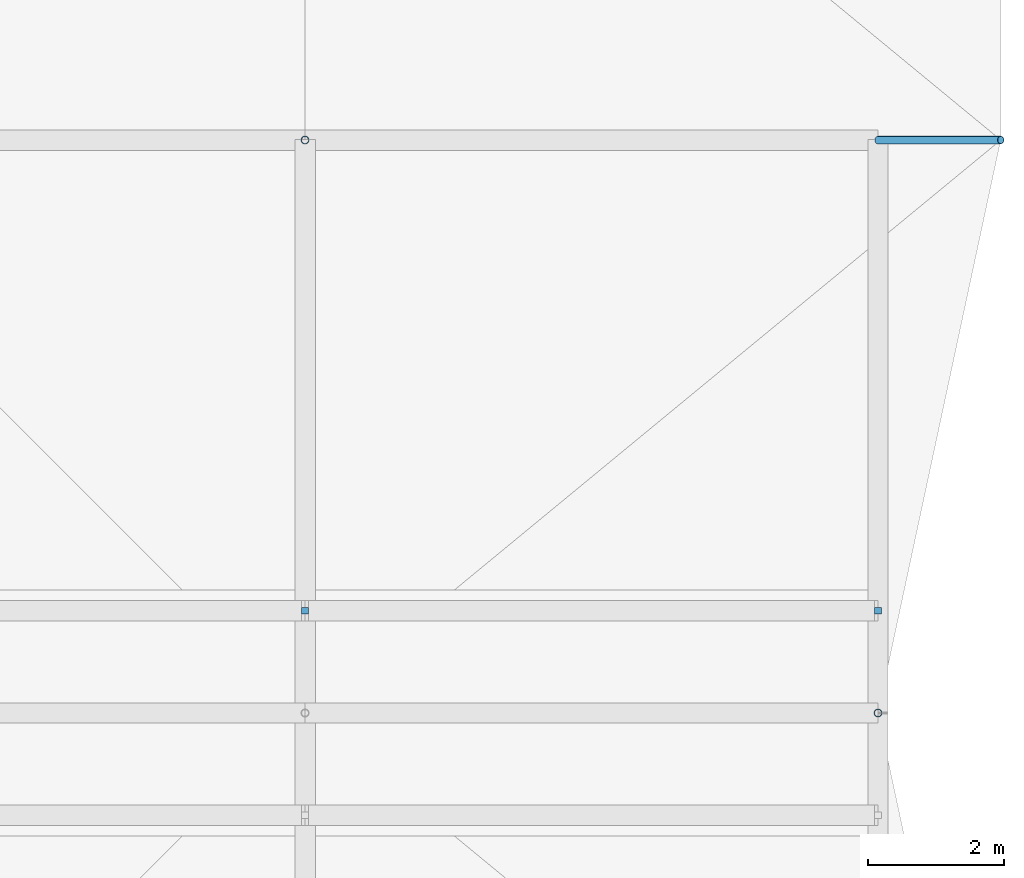
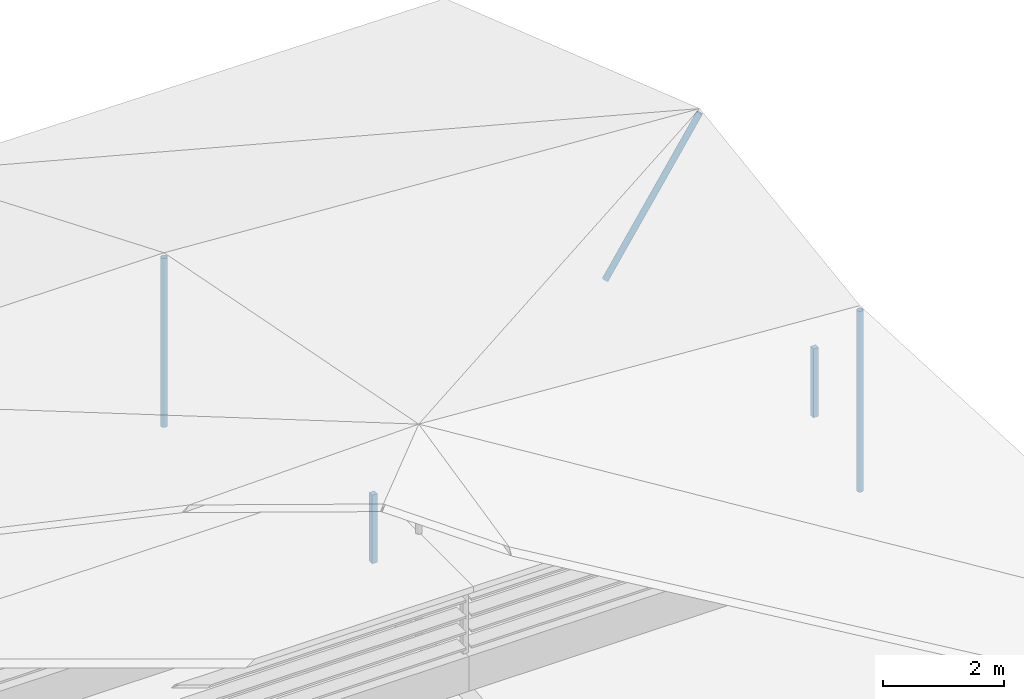
# One storey, part 37 of 46: 5 discrete accessories.
"""IFC4 building model written with IfcOpenShell, lengths in metres."""

from ifc_helpers import new_model, si_unit, direction, frame, origin, origin_2d, place, context, subcontext, project, spatial, rectangle, hollow_circle, extrude, material, layer, layer_set, material_profile, profile_set, type_object, element, save


model = new_model("IFC4")

# Units and contexts
model_context = context("Model", 3, precision=1e-05, world=origin(), true_north=direction((0.0, 1.0)))
body_context = subcontext(model_context, "Body", "Model", "MODEL_VIEW")
ifc_project = project(units=[si_unit("LENGTHUNIT", "METRE"), si_unit("AREAUNIT", "SQUARE_METRE"), si_unit("VOLUMEUNIT", "CUBIC_METRE"), si_unit("PLANEANGLEUNIT", "RADIAN"), si_unit("MASSUNIT", "GRAM", prefix="KILO")], contexts=[model_context])

# Site, building, storey
site_placement = place(None, origin())
site = spatial("IfcSite", under=ifc_project, at=site_placement, CompositionType="ELEMENT")
building_placement = place(site_placement, origin())
building = spatial("IfcBuilding", under=site, at=building_placement, Name="Rain Tree Exposition and Congress Centre", CompositionType="ELEMENT")
storey_placement = place(building_placement, frame((0.0, 0.0, 27.0)))
storey = spatial("IfcBuildingStorey", under=building, at=storey_placement, Name="ROOF VAULT CREST", CompositionType="ELEMENT", Elevation=27.0)

# Discrete accessories
ifc_material_1 = material(Name="Steel S355J2", Category="steel")
ifc_layer = layer(ifc_material_1, 0.10009765625)
ifc_layer_set = layer_set([ifc_layer], Name="Steel S355J2")
discrete_accessory_type_1 = type_object("IfcDiscreteAccessoryType", Name="Ridge lantern post 100", PredefinedType="BRACKET", material=ifc_layer_set)
for number, where, z_axis, x_axis, name in (
    (1, (235.199951171875, 177.89990234375, 2.0), (0.0, 0.0, 1.0), (1.0, 0.0, 0.0), "Lantern post NR1-11"),
    (2, (243.60009765625, 177.89990234375, 2.0), (0.0, 0.0, 1.0), (1.0, 0.0, 0.0), "Lantern post NR1-12"),
):
    element("IfcDiscreteAccessory", number, at=place(storey_placement, frame(where, z_axis=z_axis, x_axis=x_axis)), inside=storey, type_object=discrete_accessory_type_1, Name=name, PredefinedType="BRACKET", context=body_context, shape_type="SweptSolid", body=[
        extrude(rectangle(XDim=0.10009765625, YDim=0.10009765625, at=origin_2d()), origin(), (0.0, 0.0, 1.0), 1.3798828125),
    ])
ifc_material_2 = material(Name="Steel S355J2H", Category="steel")
ifc_material_profile = material_profile(ifc_material_2, hollow_circle(Radius=0.05712890625, WallThickness=0.00439453125, at=origin_2d()), Name="CHS 114x4.5")
ifc_profile_set = profile_set([ifc_material_profile], Name="Steel S355J2H")
discrete_accessory_type_2 = type_object("IfcDiscreteAccessoryType", Name="Roof skin post CHS 114x4.5", PredefinedType="BRACKET", material=ifc_profile_set)
discrete_accessory_1_placement = place(storey_placement, frame((243.60009765625, 176.39990234375, 1.39990234375), z_axis=(0.0, 0.0, 1.0), x_axis=(1.0, 0.0, 0.0)))
element("IfcDiscreteAccessory", 3, at=discrete_accessory_1_placement, inside=storey, type_object=discrete_accessory_type_2, Name="Roof skin post B130", PredefinedType="BRACKET", context=body_context, shape_type="SweptSolid", body=[
    extrude(hollow_circle(Radius=0.05712890625, WallThickness=0.00439453125, at=origin_2d()), origin(), (0.0, 0.0, 1.0), 3.64306640625),
])
discrete_accessory_2_placement = place(storey_placement, frame((235.199951171875, 184.800048828125, 0.551025390625), z_axis=(0.0, 0.0, 1.0), x_axis=(1.0, 0.0, 0.0)))
element("IfcDiscreteAccessory", 4, at=discrete_accessory_2_placement, inside=storey, type_object=discrete_accessory_type_2, Name="Roof skin post B142", PredefinedType="BRACKET", context=body_context, shape_type="SweptSolid", body=[
    extrude(hollow_circle(Radius=0.05712890625, WallThickness=0.00439453125, at=origin_2d()), origin(), (0.0, 0.0, 1.0), 3.4013671875),
])
discrete_accessory_3_placement = place(storey_placement, frame((243.60009765625, 184.800048828125, 0.551025390625), z_axis=(0.54997407005, 0.0, 0.835181730088), x_axis=(0.0, 1.0, 0.0)))
element("IfcDiscreteAccessory", 5, at=discrete_accessory_3_placement, inside=storey, type_object=discrete_accessory_type_2, Name="Roof skin post B143", PredefinedType="BRACKET", context=body_context, shape_type="SweptSolid", body=[
    extrude(hollow_circle(Radius=0.05712890625, WallThickness=0.00439453125, at=origin_2d()), origin(), (0.0, 0.0, 1.0), 3.2724609375),
])

save(model, "model.ifc")
